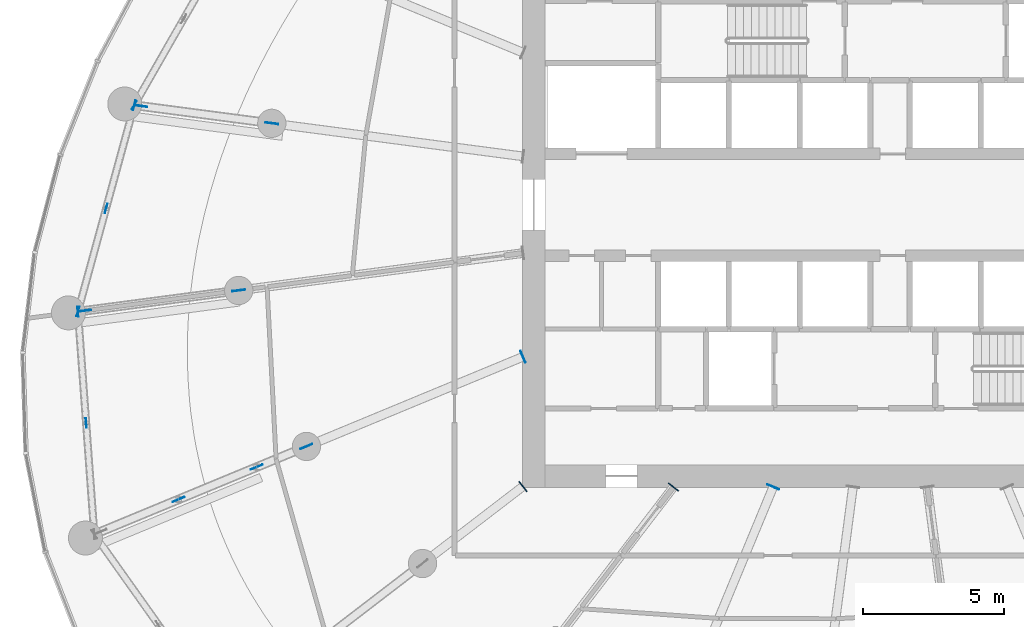
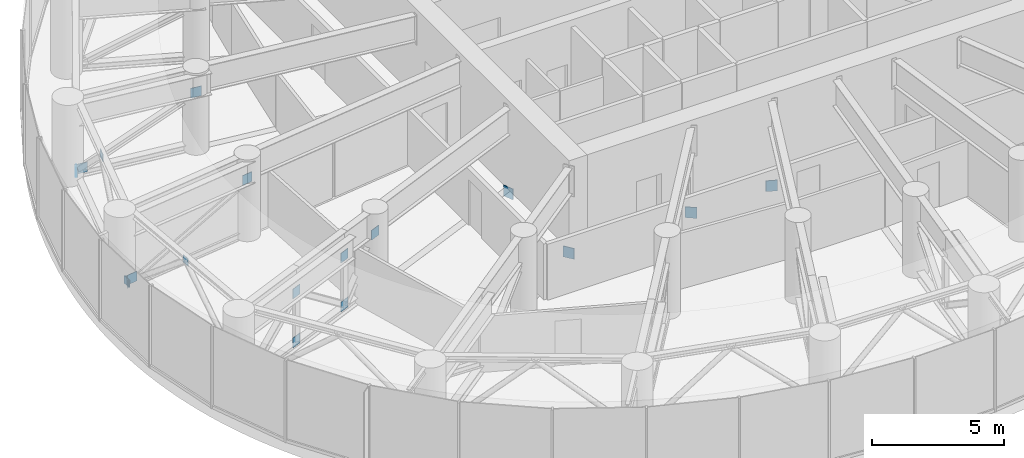
# One storey, part 23 of 33: 19 discrete accessories.
"""IFC4 building model written with IfcOpenShell, lengths in metres."""

import ifcopenshell
import ifcopenshell.guid

model = None  # the IFC model being written
_history = None  # IfcOwnerHistory: only IFC2X3 demands one
_inside = {}  # id of a spatial element -> (the spatial element, [elements in it])
_under = {}  # id of a project, library or spatial element -> (it, [spatial elements below it])
_declared = {}  # id of a project -> (the project, [libraries it declares])
_typed = {}  # id of a type object -> (the type object, [elements of that type])
_made_of = {}  # id of a material, layer set ... -> (it, [elements and type objects made of it])


def new_model(schema):
    """Start an empty IFC model of exactly this schema.

    Asked for "IFC4X3", IfcOpenShell would pick the latest addendum, in which some entities
    have other attributes; the version numbers below select the first issue.
    IFC2X3 requires an IfcOwnerHistory on every rooted entity: one is made here for all.
    """
    global model, _history
    if schema == "IFC4X3":
        model = ifcopenshell.file(schema_version=(4, 3, 0, 0))
    else:
        model = ifcopenshell.file(schema=schema)
    _inside.clear()
    _under.clear()
    _declared.clear()
    _typed.clear()
    _made_of.clear()
    _history = None
    if model.schema == "IFC2X3":
        org = make("IfcOrganization", Name="unknown")
        user = make(
            "IfcPersonAndOrganization",
            ThePerson=make("IfcPerson", FamilyName="unknown"),
            TheOrganization=org,
        )
        app = make(
            "IfcApplication",
            ApplicationDeveloper=org,
            Version="unknown",
            ApplicationFullName="unknown",
            ApplicationIdentifier="unknown",
        )
        _history = make(
            "IfcOwnerHistory",
            OwningUser=user,
            OwningApplication=app,
            ChangeAction="ADDED",
            CreationDate=0,
        )
    return model


def make(cls, **values):
    """One entity of the class cls with the attributes given. An attribute that is None is left unset."""
    return model.create_entity(
        cls, **{name: value for name, value in values.items() if value is not None}
    )


def rooted(cls, **values):
    """An entity with a GlobalId (a new one), such as an element, a storey or a relation."""
    return make(cls, GlobalId=ifcopenshell.guid.new(), OwnerHistory=_history, **values)


def si_unit(unit_type, name, prefix=None):
    """IfcSIUnit, for example si_unit("LENGTHUNIT", "METRE", prefix="MILLI")."""
    return make("IfcSIUnit", UnitType=unit_type, Prefix=prefix, Name=name)


def assignment(units):
    """IfcUnitAssignment: the units of a project."""
    return None if units is None else make("IfcUnitAssignment", Units=units)


def point(xyz):
    """IfcCartesianPoint."""
    return None if xyz is None else make("IfcCartesianPoint", Coordinates=xyz)


def direction(xyz):
    """IfcDirection."""
    return None if xyz is None else make("IfcDirection", DirectionRatios=xyz)


def frame(location, z_axis=None, x_axis=None):
    """IfcAxis2Placement3D, a coordinate frame: its origin and axes. An axis left out is left unset."""
    return make(
        "IfcAxis2Placement3D",
        Location=point(location),
        Axis=direction(z_axis),
        RefDirection=direction(x_axis),
    )


def frame_2d(location, x_axis=None):
    """IfcAxis2Placement2D, a coordinate frame in the plane: its origin and x axis."""
    return make(
        "IfcAxis2Placement2D", Location=point(location), RefDirection=direction(x_axis)
    )


def origin():
    """The frame at (0, 0, 0) with its axes left unset."""
    return frame((0.0, 0.0, 0.0))


def origin_2d():
    """The frame at (0, 0) in the plane with its x axis left unset."""
    return frame_2d((0.0, 0.0))


def place(relative_to, where):
    """IfcLocalPlacement: puts the frame where relative to a parent placement (None: the world)."""
    return make(
        "IfcLocalPlacement", PlacementRelTo=relative_to, RelativePlacement=where
    )


def context(
    kind, dimensions, precision=None, world=None, true_north=None, identifier=None
):
    """IfcGeometricRepresentationContext, for example the 3D "Model" context."""
    return make(
        "IfcGeometricRepresentationContext",
        ContextIdentifier=identifier,
        ContextType=kind,
        CoordinateSpaceDimension=dimensions,
        Precision=precision,
        WorldCoordinateSystem=world,
        TrueNorth=true_north,
    )


def subcontext(parent, identifier, kind, view, scale=None):
    """IfcGeometricRepresentationSubContext, for example "Body" below "Model"."""
    return make(
        "IfcGeometricRepresentationSubContext",
        ContextIdentifier=identifier,
        ContextType=kind,
        ParentContext=parent,
        TargetScale=scale,
        TargetView=view,
    )


def project(units=None, contexts=None):
    """IfcProject with its units and contexts."""
    return rooted(
        "IfcProject",
        Name="project",
        RepresentationContexts=contexts,
        UnitsInContext=assignment(units),
    )


def spatial(cls, under=None, at=None, **own):
    """A site, building, storey or space (cls), placed at a placement, below another one or the project."""
    s = rooted(cls, ObjectPlacement=at, **own)
    if under is not None:
        _under.setdefault(under.id(), (under, []))[1].append(s)
    return s


def profile(cls, at=None, kind="AREA", **sizes):
    """A parametric profile (cls). Its sizes go by their IFC names, for example OverallWidth=200.0."""
    return make(cls, ProfileType=kind, Position=at, **sizes)


def rectangle(**sizes):
    """IfcRectangleProfileDef."""
    return profile("IfcRectangleProfileDef", **sizes)


def extrude(swept, where, along, depth):
    """IfcExtrudedAreaSolid: the profile swept, set in the frame where, extruded along a direction by depth."""
    return make(
        "IfcExtrudedAreaSolid",
        SweptArea=swept,
        Position=where,
        ExtrudedDirection=direction(along),
        Depth=depth,
    )


def shape(context_of_items, identifier, shape_type, items):
    """IfcShapeRepresentation: the items that make up one representation, for example the "Body"."""
    return make(
        "IfcShapeRepresentation",
        ContextOfItems=context_of_items,
        RepresentationIdentifier=identifier,
        RepresentationType=shape_type,
        Items=items,
    )


def source(mapping_origin, context_of_items, identifier, shape_type, items):
    """IfcRepresentationMap: a shape defined once, which mapped items show again and again."""
    return make(
        "IfcRepresentationMap",
        MappingOrigin=mapping_origin,
        MappedRepresentation=shape(context_of_items, identifier, shape_type, items),
    )


def transform(
    local_origin,
    x_axis=None,
    y_axis=None,
    z_axis=None,
    scale=None,
    scale2=None,
    scale3=None,
    uniform=True,
):
    """IfcCartesianTransformationOperator3D, or its non-uniform kind. x_axis, y_axis, z_axis: its Axis1, 2, 3."""
    if uniform:
        return make(
            "IfcCartesianTransformationOperator3D",
            Axis1=direction(x_axis),
            Axis2=direction(y_axis),
            LocalOrigin=point(local_origin),
            Scale=scale,
            Axis3=direction(z_axis),
        )
    return make(
        "IfcCartesianTransformationOperator3DnonUniform",
        Axis1=direction(x_axis),
        Axis2=direction(y_axis),
        LocalOrigin=point(local_origin),
        Scale=scale,
        Axis3=direction(z_axis),
        Scale2=scale2,
        Scale3=scale3,
    )


def mapped(mapping_source, mapping_target):
    """IfcMappedItem: shows the shape of a source again, moved by a transform."""
    return make(
        "IfcMappedItem", MappingSource=mapping_source, MappingTarget=mapping_target
    )


def material(Name=None, Category=None):
    """IfcMaterial."""
    return make("IfcMaterial", Name=Name, Category=Category)


def layer(
    of_material, thickness, ventilated=None, Name=None, Category=None, Priority=None
):
    """IfcMaterialLayer: one layer of a wall or slab, of a material (None: an air gap)."""
    return make(
        "IfcMaterialLayer",
        Material=of_material,
        LayerThickness=thickness,
        IsVentilated=ventilated,
        Name=Name,
        Category=Category,
        Priority=Priority,
    )


def layer_set(layers, Name=None):
    """IfcMaterialLayerSet."""
    return make("IfcMaterialLayerSet", MaterialLayers=layers, LayerSetName=Name)


def made_of(thing, what):
    """Note that an element or type object is made of a material, layer set ...; save() writes the relation."""
    if what is not None:
        _made_of.setdefault(what.id(), (what, []))[1].append(thing)
    return thing


def type_object(cls, material=None, **own):
    """A type object (cls), such as IfcWallType, which elements share."""
    return made_of(rooted(cls, **own), material)


def element(
    cls,
    number,
    at=None,
    inside=None,
    cuts=None,
    type_object=None,
    material=None,
    context=None,
    identifier="Body",
    shape_type=None,
    held_by="IfcProductDefinitionShape",
    body=None,
    shapes=None,
    **own,
):
    """One element of the class cls, such as IfcWall. Its Tag is "e" and its number.

    at: its placement. inside: the storey or other place that contains it. cuts: it is an
    opening in that element (IfcRelVoidsElement). A single representation is given by context,
    identifier, shape_type and body (its items); several are given by shapes. held_by: the class
    of the entity that holds the representations. save() writes the other relations.
    """
    e = rooted(cls, Tag="e%d" % number, ObjectPlacement=at, **own)
    if body is not None:
        shapes = [shape(context, identifier, shape_type, body)]
    if shapes is not None:
        e.Representation = make(held_by, Representations=shapes)
    if inside is not None:
        _inside.setdefault(inside.id(), (inside, []))[1].append(e)
    if cuts is not None:
        rooted(
            "IfcRelVoidsElement", RelatingBuildingElement=cuts, RelatedOpeningElement=e
        )
    if type_object is not None:
        _typed.setdefault(type_object.id(), (type_object, []))[1].append(e)
    return made_of(e, material)


def aggregate(whole, parts):
    """IfcRelAggregates: a whole, such as a stair, and the parts it consists of."""
    return rooted("IfcRelAggregates", RelatingObject=whole, RelatedObjects=parts)


def save(model, path):
    """Write the relations noted so far, then the file.

    IfcRelAggregates (storeys below a building ...), IfcRelContainedInSpatialStructure (elements
    in a storey), IfcRelDefinesByType, IfcRelAssociatesMaterial and IfcRelDeclares: one each for
    every whole, place, type object, material and project.
    """
    for whole, parts in _under.values():
        aggregate(whole, parts)
    for where, things in _inside.values():
        rooted(
            "IfcRelContainedInSpatialStructure",
            RelatedElements=things,
            RelatingStructure=where,
        )
    for kind, things in _typed.values():
        rooted("IfcRelDefinesByType", RelatedObjects=things, RelatingType=kind)
    for what, things in _made_of.values():
        rooted("IfcRelAssociatesMaterial", RelatedObjects=things, RelatingMaterial=what)
    for by, libraries in _declared.values():
        rooted("IfcRelDeclares", RelatingContext=by, RelatedDefinitions=libraries)
    model.write(path)


model = new_model("IFC4")

# Units and contexts
model_context = context("Model", 3, precision=1e-05, world=origin(), true_north=direction((0.0, 1.0)))
body_context = subcontext(model_context, "Body", "Model", "MODEL_VIEW")
ifc_project = project(units=[si_unit("LENGTHUNIT", "METRE"), si_unit("AREAUNIT", "SQUARE_METRE"), si_unit("VOLUMEUNIT", "CUBIC_METRE"), si_unit("PLANEANGLEUNIT", "RADIAN"), si_unit("MASSUNIT", "GRAM", prefix="KILO")], contexts=[model_context])

# Site, building, storey
site_placement = place(None, origin())
site = spatial("IfcSite", under=ifc_project, at=site_placement, CompositionType="ELEMENT")
building_placement = place(site_placement, origin())
building = spatial("IfcBuilding", under=site, at=building_placement, Name="Spindrift Exchange Tower", CompositionType="ELEMENT")
storey_placement = place(building_placement, frame((0.0, 0.0, 129.0)))
storey = spatial("IfcBuildingStorey", under=building, at=storey_placement, Name="L30", CompositionType="ELEMENT", Elevation=129.0)

# Discrete accessories
ifc_material = material(Name="Steel Grade 350", Category="steel")
ifc_layer_1 = layer(ifc_material, 0.031982421875)
ifc_layer_set_1 = layer_set([ifc_layer_1], Name="Cast-in plate 450x500x32 Steel Grade 350")
discrete_accessory_type_1 = type_object("IfcDiscreteAccessoryType", Name="Cast-in plate 450x500x32 Steel Grade 350", PredefinedType="USERDEFINED", material=ifc_layer_set_1)
shared_shape_1 = source(origin(), body_context, "Body", "SweptSolid", [
    extrude(rectangle(XDim=0.031982421875, YDim=0.449951171875, at=origin_2d()), origin(), (0.0, 0.0, 1.0), 0.5),
])
for number, where, z_axis, x_axis, name in (
    (1, (39.0185546875, 42.622802734375, -0.410400390625), (0.0, 0.0, 1.0), (-0.923879532511, -0.382683432365, 0.0), "L30 cast-in plate CP2 14"),
    (2, (39.015869140625, 38.036865234375, -0.410400390625), (0.0, 0.0, 1.0), (-0.793353340291, -0.608761429009, 0.0), "L30 cast-in plate CP2 15"),
    (3, (44.3388671875, 38.015869140625, -0.410400390625), (0.0, 0.0, 1.0), (-0.608761429009, -0.793353340291, 0.0), "L30 cast-in plate CP2 16"),
    (4, (47.865478515625, 38.0185546875, -0.410400390625), (0.0, 0.0, 1.0), (-0.382683432365, -0.923879532511, 0.0), "L30 cast-in plate CP2 17"),
):
    element("IfcDiscreteAccessory", number, at=place(storey_placement, frame(where, z_axis=z_axis, x_axis=x_axis)), inside=storey, type_object=discrete_accessory_type_1, Name=name, ObjectType="Cast-in plate", PredefinedType="USERDEFINED", context=body_context, shape_type="MappedRepresentation", body=[
        mapped(shared_shape_1, transform((0.0, 0.0, 0.0), scale=1.0)),
    ])
ifc_layer_2 = layer(ifc_material, 0.02490234375)
ifc_layer_set_2 = layer_set([ifc_layer_2], Name="Gusset plate 450x450x25 Steel Grade 350")
discrete_accessory_type_2 = type_object("IfcDiscreteAccessoryType", Name="Gusset plate 450x450x25 Steel Grade 350", PredefinedType="USERDEFINED", material=ifc_layer_set_2)
shared_shape_2 = source(origin(), body_context, "Body", "SweptSolid", [
    extrude(rectangle(XDim=0.449951171875, YDim=0.02490234375, at=origin_2d()), origin(), (0.0, 0.0, 1.0), 0.449951171875),
])
for number, where, z_axis, x_axis, name in (
    (5, (30.13671875, 50.87841796875, 2.35498046875), (0.0, 0.0, 1.0), (-0.991443950105, 0.130533113808, 0.0), "L30 gusset plate GP1 12"),
    (6, (25.510498046875, 51.4873046875, 0.09619140625), (0.0, 0.0, 1.0), (-0.991443950105, 0.130533113808, 0.0), "L30 gusset plate GP1 12"),
    (7, (28.966064453125, 44.967529296875, 2.35498046875), (0.0, 0.0, 1.0), (-0.991446455978, -0.130514079426, 0.0), "L30 gusset plate GP1 13"),
    (8, (23.518798828125, 44.25048828125, 0.09619140625), (0.0, 0.0, 1.0), (-0.991446455978, -0.130514079426, 0.0), "L30 gusset plate GP1 13"),
    (9, (31.360595703125, 39.450927734375, 2.35498046875), (0.0, 0.0, 1.0), (-0.923886879335, -0.382665695081, 0.0), "L30 gusset plate GP1 14"),
    (10, (29.603271484375, 38.722900390625, 0.09619140625), (0.0, 0.0, 1.0), (-0.923886879335, -0.382665695081, 0.0), "L30 gusset plate GP1 14"),
    (11, (26.841796875, 37.5791015625, 2.35498046875), (0.0, 0.0, 1.0), (-0.92387352122, -0.382697944584, 0.0), "L30 gusset plate GP1 14"),
    (12, (29.603271484375, 38.722900390625, 2.35498046875), (0.0, 0.0, 1.0), (-0.923879532511, -0.382683432365, 0.0), "L30 gusset plate GP1 14"),
    (13, (26.841796875, 37.5791015625, 0.09619140625), (0.0, 0.0, 1.0), (-0.923879532511, -0.382683432365, 0.0), "L30 gusset plate GP1 14"),
):
    element("IfcDiscreteAccessory", number, at=place(storey_placement, frame(where, z_axis=z_axis, x_axis=x_axis)), inside=storey, type_object=discrete_accessory_type_2, Name=name, ObjectType="Gusset plate", PredefinedType="USERDEFINED", context=body_context, shape_type="MappedRepresentation", body=[
        mapped(shared_shape_2, transform((0.0, 0.0, 0.0), scale=1.0)),
    ])
ifc_layer_3 = layer(ifc_material, 0.02001953125)
ifc_layer_set_3 = layer_set([ifc_layer_3], Name="Gusset plate 350x350x20 Steel Grade 350")
discrete_accessory_type_3 = type_object("IfcDiscreteAccessoryType", Name="Gusset plate 350x350x20 Steel Grade 350", PredefinedType="USERDEFINED", material=ifc_layer_set_3)
shared_shape_3 = source(origin(), body_context, "Body", "SweptSolid", [
    extrude(rectangle(XDim=0.35009765625, YDim=0.02001953125, at=origin_2d()), origin(), (0.0, 0.0, 1.0), 0.35009765625),
])
for number, where, z_axis, x_axis, name in (
    (14, (25.272705078125, 51.518798828125, 0.078857421875), (0.0, 0.0, 1.0), (-0.49669980514, -0.867922406424, 0.0), "L30 gusset plate GP2 11"),
    (15, (25.272705078125, 51.518798828125, 0.078857421875), (0.0, 0.0, 1.0), (-0.263240008367, -0.964730375802, 0.0), "L30 gusset plate GP2 12"),
    (16, (24.276611328125, 47.868896484375, 3.350830078125), (0.0, 0.0, 1.0), (-0.263240008367, -0.964730375802, 0.0), "L30 gusset plate GP2 12"),
    (17, (23.28076171875, 44.218994140625, 0.078857421875), (0.0, 0.0, 1.0), (-0.263240008367, -0.964730375802, 0.0), "L30 gusset plate GP2 12"),
    (18, (23.28076171875, 44.218994140625, 0.078857421875), (0.0, 0.0, 1.0), (0.073168571264, -0.997319587785, 0.0), "L30 gusset plate GP2 13"),
    (19, (23.569580078125, 40.28125, 3.350830078125), (0.0, 0.0, 1.0), (0.073168571264, -0.997319587785, 0.0), "L30 gusset plate GP2 13"),
):
    element("IfcDiscreteAccessory", number, at=place(storey_placement, frame(where, z_axis=z_axis, x_axis=x_axis)), inside=storey, type_object=discrete_accessory_type_3, Name=name, ObjectType="Gusset plate", PredefinedType="USERDEFINED", context=body_context, shape_type="MappedRepresentation", body=[
        mapped(shared_shape_3, transform((0.0, 0.0, 0.0), scale=1.0)),
    ])

save(model, "model.ifc")
